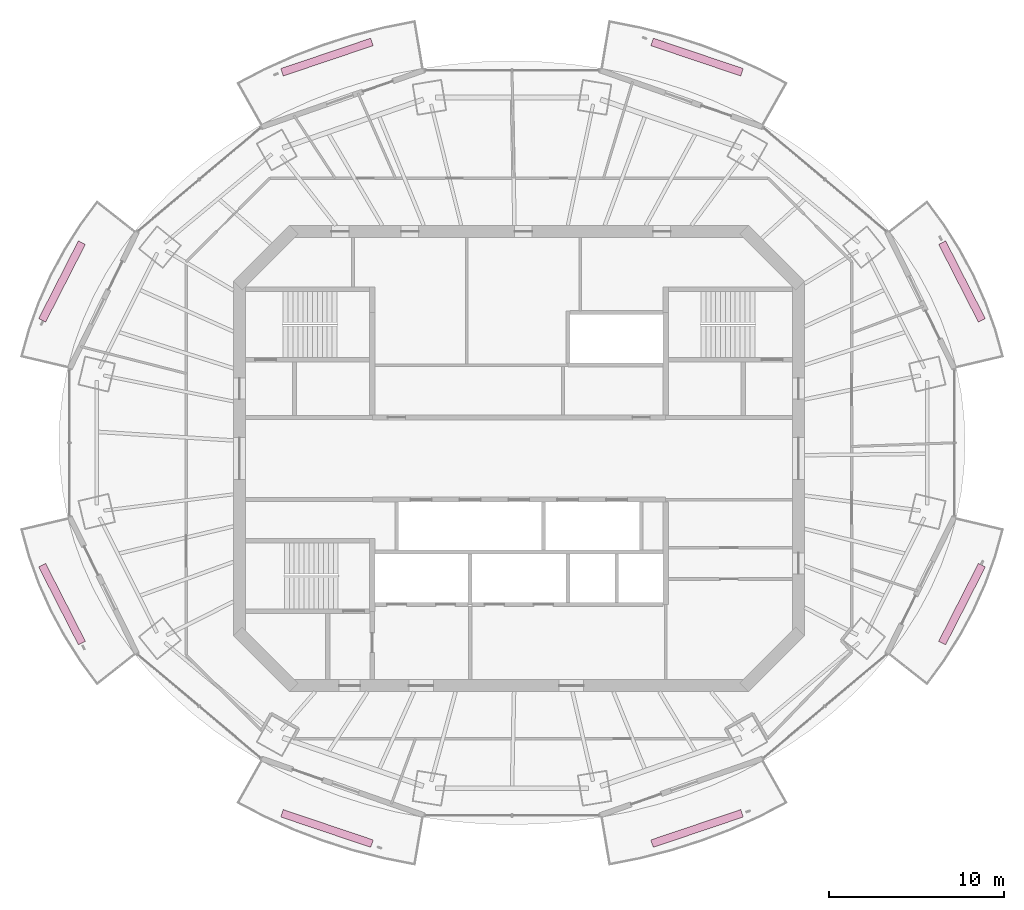
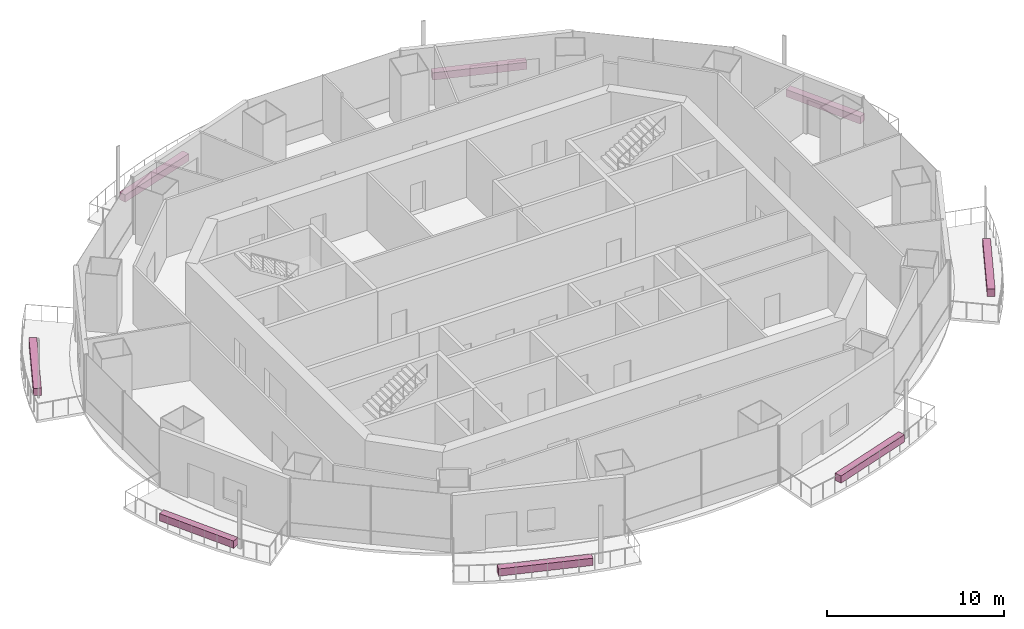
# One storey, part 16 of 16: 8 furnishings.
"""IFC4 building model written with IfcOpenShell, lengths in metres."""

from ifc_helpers import new_model, si_unit, direction, frame, origin, origin_2d, place, context, subcontext, project, spatial, rectangle, extrude, material, type_object, element, save


model = new_model("IFC4")

# Units and contexts
model_context = context("Model", 3, precision=1e-05, world=origin(), true_north=direction((0.0, 1.0)))
body_context = subcontext(model_context, "Body", "Model", "MODEL_VIEW")
ifc_project = project(units=[si_unit("LENGTHUNIT", "METRE"), si_unit("AREAUNIT", "SQUARE_METRE"), si_unit("VOLUMEUNIT", "CUBIC_METRE"), si_unit("PLANEANGLEUNIT", "RADIAN"), si_unit("MASSUNIT", "GRAM", prefix="KILO")], contexts=[model_context])

# Site, building, storey
site_placement = place(None, origin())
site = spatial("IfcSite", under=ifc_project, at=site_placement, CompositionType="ELEMENT")
building_placement = place(site_placement, origin())
building = spatial("IfcBuilding", under=site, at=building_placement, Name="Marenthal Gate Tower", CompositionType="ELEMENT")
storey_placement = place(building_placement, frame((0.0, 0.0, 379.949951171875)))
storey = spatial("IfcBuildingStorey", under=building, at=storey_placement, Name="L86", CompositionType="ELEMENT", Elevation=379.949951171875)

# Furnishings
ifc_material = material(Name="Planting soil and foliage", Category="planting")
furnishing_element_type = type_object("IfcFurnishingElementType", Name="Balcony PLANTER trough", material=ifc_material)
furnishing_1_placement = place(storey_placement, frame((25.36328125, 10.136474609375, -0.0400390625), z_axis=(0.0, 0.0, 1.0), x_axis=(-0.454653975837, 0.890668154958, 0.0)))
element("IfcFurnishingElement", 1, at=furnishing_1_placement, inside=storey, type_object=furnishing_element_type, Name="Balcony PLANTER L86 bay 1", ObjectType="PLANTER", context=body_context, shape_type="SweptSolid", body=[
    extrude(rectangle(XDim=5.000244140625, YDim=0.449951171875, at=origin_2d()), origin(), (0.0, 0.0, 1.0), 0.5),
])
for number, where, z_axis, x_axis, name in (
    (2, (10.193115234375, 22.9814453125, -0.0400390625), (0.0, 0.0, 1.0), (-0.947516023318, 0.319708281963, 0.0), "Balcony PLANTER L86 bay 3"),
    (3, (-10.9931640625, 22.9814453125, -0.0400390625), (0.0, 0.0, 1.0), (-0.947516023318, -0.319708281963, 0.0), "Balcony PLANTER L86 bay 5"),
):
    element("IfcFurnishingElement", number, at=place(storey_placement, frame(where, z_axis=z_axis, x_axis=x_axis)), inside=storey, type_object=furnishing_element_type, Name=name, ObjectType="PLANTER", context=body_context, shape_type="SweptSolid", body=[
        extrude(rectangle(XDim=5.435546875, YDim=0.449951171875, at=origin_2d()), origin(), (0.0, 0.0, 1.0), 0.5),
    ])
for number, where, z_axis, x_axis, name in (
    (4, (-26.163330078125, 10.136474609375, -0.0400390625), (0.0, 0.0, 1.0), (-0.454653975837, -0.890668154958, 0.0), "Balcony PLANTER L86 bay 7"),
    (5, (-26.163330078125, -8.33642578125, -0.0400390625), (0.0, 0.0, 1.0), (0.454653975837, -0.890668154958, 0.0), "Balcony PLANTER L86 bay 9"),
):
    element("IfcFurnishingElement", number, at=place(storey_placement, frame(where, z_axis=z_axis, x_axis=x_axis)), inside=storey, type_object=furnishing_element_type, Name=name, ObjectType="PLANTER", context=body_context, shape_type="SweptSolid", body=[
        extrude(rectangle(XDim=5.000244140625, YDim=0.449951171875, at=origin_2d()), origin(), (0.0, 0.0, 1.0), 0.5),
    ])
for number, where, z_axis, x_axis, name in (
    (6, (-10.9931640625, -21.181396484375, -0.0400390625), (0.0, 0.0, 1.0), (0.947516023318, -0.319708281963, 0.0), "Balcony PLANTER L86 bay 11"),
    (7, (10.193115234375, -21.181396484375, -0.0400390625), (0.0, 0.0, 1.0), (0.947516023318, 0.319708281963, 0.0), "Balcony PLANTER L86 bay 13"),
):
    element("IfcFurnishingElement", number, at=place(storey_placement, frame(where, z_axis=z_axis, x_axis=x_axis)), inside=storey, type_object=furnishing_element_type, Name=name, ObjectType="PLANTER", context=body_context, shape_type="SweptSolid", body=[
        extrude(rectangle(XDim=5.435546875, YDim=0.449951171875, at=origin_2d()), origin(), (0.0, 0.0, 1.0), 0.5),
    ])
furnishing_2_placement = place(storey_placement, frame((25.36328125, -8.33642578125, -0.0400390625), z_axis=(0.0, 0.0, 1.0), x_axis=(0.454653975837, 0.890668154958, 0.0)))
element("IfcFurnishingElement", 8, at=furnishing_2_placement, inside=storey, type_object=furnishing_element_type, Name="Balcony PLANTER L86 bay 15", ObjectType="PLANTER", context=body_context, shape_type="SweptSolid", body=[
    extrude(rectangle(XDim=5.000244140625, YDim=0.449951171875, at=origin_2d()), origin(), (0.0, 0.0, 1.0), 0.5),
])

save(model, "model.ifc")
